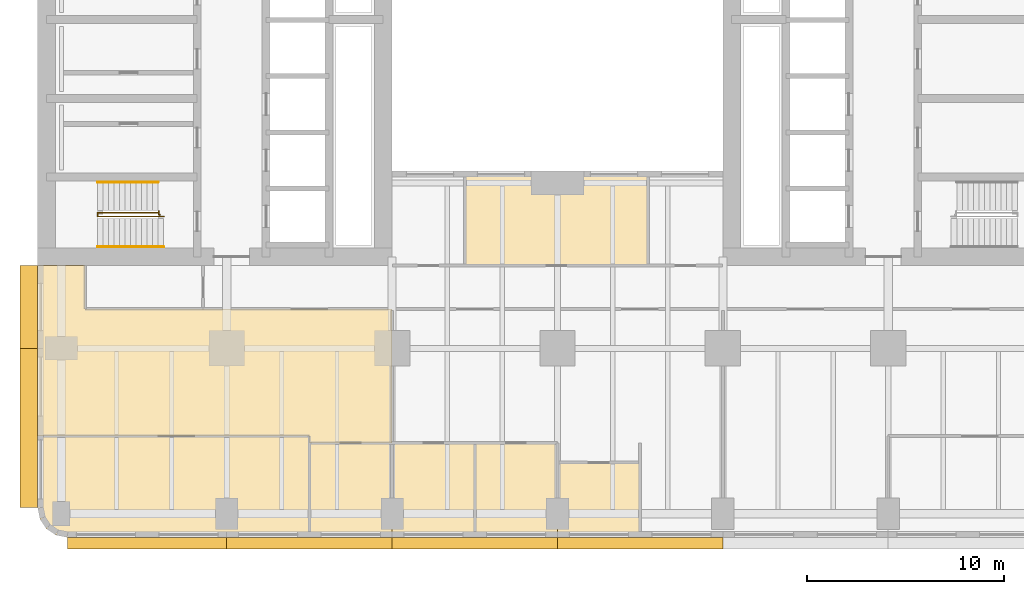
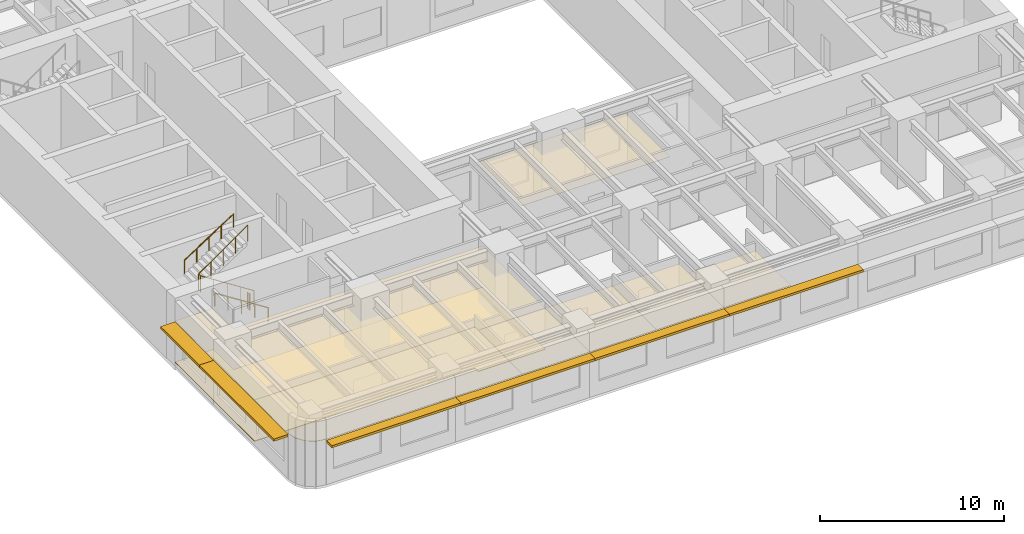
# One storey, part 10 of 13: 8 coverings, 6 shading devices, 4 railings.
"""IFC4 building model written with IfcOpenShell, lengths in metres."""

from ifc_helpers import new_model, si_unit, direction, frame, origin, origin_2d, place, context, subcontext, project, spatial, polyline, rectangle, circle, outline, extrude, material, layer, layer_set, type_object, element, save


model = new_model("IFC4")

# Units and contexts
model_context = context("Model", 3, precision=1e-05, world=origin(), true_north=direction((0.0, 1.0)))
body_context = subcontext(model_context, "Body", "Model", "MODEL_VIEW")
ifc_project = project(units=[si_unit("LENGTHUNIT", "METRE"), si_unit("AREAUNIT", "SQUARE_METRE"), si_unit("VOLUMEUNIT", "CUBIC_METRE"), si_unit("PLANEANGLEUNIT", "RADIAN"), si_unit("MASSUNIT", "GRAM", prefix="KILO")], contexts=[model_context])

# Site, building, storey
site_placement = place(None, origin())
site = spatial("IfcSite", under=ifc_project, at=site_placement, CompositionType="ELEMENT")
building_placement = place(site_placement, origin())
building = spatial("IfcBuilding", under=site, at=building_placement, Name="Claustro Exchange Tower", CompositionType="ELEMENT")
storey_placement = place(building_placement, frame((0.0, 0.0, 86.39990234375)))
storey = spatial("IfcBuildingStorey", under=building, at=storey_placement, Name="L19", CompositionType="ELEMENT", Elevation=86.39990234375)

# Coverings
ifc_material_1 = material(Name="Gypsum board ceiling", Category="gypsum board")
ifc_layer_1 = layer(ifc_material_1, 0.02490234375)
ifc_layer_set_1 = layer_set([ifc_layer_1], Name="Gypsum board ceiling")
covering_type_1 = type_object("IfcCoveringType", Name="CL2 plasterboard ceiling", PredefinedType="CEILING", material=ifc_layer_set_1)
covering_1_placement = place(storey_placement, frame((0.0, 0.0, 3.0)))
element("IfcCovering", 1, at=covering_1_placement, inside=storey, type_object=covering_type_1, Name="Ceiling CL2 L19-01", PredefinedType="CEILING", context=body_context, shape_type="SweptSolid", body=[
    extrude(outline(polyline([(25.199951171875, -1.199951171875), (29.39990234375, -1.199951171875), (29.39990234375, 2.60009765625), (25.199951171875, 2.60009765625), (25.199951171875, -1.199951171875)])), origin(), (0.0, 0.0, 1.0), 0.025146484375),
])
covering_2_placement = place(storey_placement, frame((0.0, 0.0, 3.0)))
element("IfcCovering", 2, at=covering_2_placement, inside=storey, type_object=covering_type_1, Name="Ceiling CL2 L19-02", PredefinedType="CEILING", context=body_context, shape_type="SweptSolid", body=[
    extrude(outline(polyline([(12.60009765625, -1.199951171875), (16.800048828125, -1.199951171875), (16.800048828125, 3.60009765625), (12.60009765625, 3.60009765625), (12.60009765625, -1.199951171875)])), origin(), (0.0, 0.0, 1.0), 0.025146484375),
])
covering_3_placement = place(storey_placement, frame((0.0, 0.0, 3.0)))
element("IfcCovering", 3, at=covering_3_placement, inside=storey, type_object=covering_type_1, Name="Ceiling CL2 L19-03", PredefinedType="CEILING", context=body_context, shape_type="SweptSolid", body=[
    extrude(outline(polyline([(16.800048828125, -1.199951171875), (21.0, -1.199951171875), (21.0, 3.60009765625), (16.800048828125, 3.60009765625), (16.800048828125, -1.199951171875)])), origin(), (0.0, 0.0, 1.0), 0.025146484375),
])
covering_4_placement = place(storey_placement, frame((0.0, 0.0, 3.0)))
element("IfcCovering", 4, at=covering_4_placement, inside=storey, type_object=covering_type_1, Name="Ceiling CL2 L19-04", PredefinedType="CEILING", context=body_context, shape_type="SweptSolid", body=[
    extrude(outline(polyline([(21.0, -1.199951171875), (25.199951171875, -1.199951171875), (25.199951171875, 3.60009765625), (21.0, 3.60009765625), (21.0, -1.199951171875)])), origin(), (0.0, 0.0, 1.0), 0.025146484375),
])
covering_5_placement = place(storey_placement, frame((0.0, 0.0, 3.0)))
element("IfcCovering", 5, at=covering_5_placement, inside=storey, type_object=covering_type_1, Name="Ceiling CL2 L19-05", PredefinedType="CEILING", context=body_context, shape_type="SweptSolid", body=[
    extrude(outline(polyline([(-1.085693359375, -0.27392578125), (-0.7607421875, -0.7607421875), (-0.27392578125, -1.085693359375), (0.300048828125, -1.199951171875), (12.60009765625, -1.199951171875), (12.60009765625, 3.949951171875), (-1.199951171875, 3.949951171875), (-1.199951171875, 0.300048828125), (-1.085693359375, -0.27392578125)])), origin(), (0.0, 0.0, 1.0), 0.025146484375),
])
covering_6_placement = place(storey_placement, frame((0.0, 0.0, 3.0)))
element("IfcCovering", 6, at=covering_6_placement, inside=storey, type_object=covering_type_1, Name="Ceiling CL2 L19-09", PredefinedType="CEILING", context=body_context, shape_type="SweptSolid", body=[
    extrude(outline(polyline([(-1.199951171875, 12.60009765625), (-1.199951171875, 3.949951171875), (12.60009765625, 3.949951171875), (12.60009765625, 3.60009765625), (16.800048828125, 3.60009765625), (16.800048828125, 10.39990234375), (7.199951171875, 10.39990234375), (1.199951171875, 10.39990234375), (1.199951171875, 12.60009765625), (-1.199951171875, 12.60009765625)])), origin(), (0.0, 0.0, 1.0), 0.025146484375),
])
covering_7_placement = place(storey_placement, frame((0.0, 0.0, 3.0)))
element("IfcCovering", 7, at=covering_7_placement, inside=storey, type_object=covering_type_1, Name="Ceiling CL2 L19-13", PredefinedType="CEILING", context=body_context, shape_type="SweptSolid", body=[
    extrude(outline(polyline([(29.800048828125, 17.39990234375), (20.5, 17.39990234375), (20.5, 12.60009765625), (29.800048828125, 12.60009765625), (29.800048828125, 17.39990234375)])), origin(), (0.0, 0.0, 1.0), 0.025146484375),
])

# Railings
ifc_material_2 = material(Name="Steel balustrade, painted", Category="steel")
railing_type_1 = type_object("IfcRailingType", Name="GR2 1100 steel stair guard", PredefinedType="GUARDRAIL", material=ifc_material_2)
railing_1_placement = place(storey_placement, frame((5.199951171875, 15.10009765625, 0.18017578125)))
element("IfcRailing", 8, at=railing_1_placement, inside=storey, type_object=railing_type_1, Name="Stair well guard GR2 stair STWA L19", PredefinedType="GUARDRAIL", context=body_context, shape_type="SweptSolid", body=[
    extrude(circle(Radius=0.02392578125, at=origin_2d()), frame((0.0, 0.0, 1.076171875), z_axis=(-0.841178475377, 0.0, 0.540757591313), x_axis=(0.0, -1.0, 0.0)), (0.0, 0.0, 1.0), 3.994140625),
    extrude(circle(Radius=0.02392578125, at=origin_2d()), frame((-3.35986328125, 0.0, 3.23583984375), z_axis=(0.0, 1.0, 0.0), x_axis=(-1.0, 0.0, 0.0)), (0.0, 0.0, 1.0), 0.199951171875),
    extrude(circle(Radius=0.02392578125, at=origin_2d()), frame((-3.35986328125, 0.199951171875, 3.23583984375), z_axis=(0.818728512145, 0.0, 0.574180828137), x_axis=(0.0, 1.0, 0.0)), (0.0, 0.0, 1.0), 3.76171875),
    extrude(circle(Radius=0.02099609375, at=origin_2d()), origin(), (0.0, 0.0, 1.0), 1.052001953125),
    extrude(circle(Radius=0.02099609375, at=origin_2d()), frame((-0.83984375, 0.0, 0.5400390625)), (0.0, 0.0, 1.0), 1.052001953125),
    extrude(circle(Radius=0.02099609375, at=origin_2d()), frame((-1.679931640625, 0.0, 1.080078125)), (0.0, 0.0, 1.0), 1.052001953125),
    extrude(circle(Radius=0.02099609375, at=origin_2d()), frame((-2.52001953125, 0.0, 1.619873046875)), (0.0, 0.0, 1.0), 1.052001953125),
    extrude(circle(Radius=0.02099609375, at=origin_2d()), frame((-3.35986328125, 0.0, 2.159912109375)), (0.0, 0.0, 1.0), 1.052001953125),
    extrude(circle(Radius=0.02099609375, at=origin_2d()), frame((-3.35986328125, 0.199951171875, 2.159912109375)), (0.0, 0.0, 1.0), 1.052001953125),
    extrude(circle(Radius=0.02099609375, at=origin_2d()), frame((-2.58984375, 0.199951171875, 2.699951171875)), (0.0, 0.0, 1.0), 1.052001953125),
    extrude(circle(Radius=0.02099609375, at=origin_2d()), frame((-1.81982421875, 0.199951171875, 3.23974609375)), (0.0, 0.0, 1.0), 1.052001953125),
    extrude(circle(Radius=0.02099609375, at=origin_2d()), frame((-1.050048828125, 0.199951171875, 3.77978515625)), (0.0, 0.0, 1.0), 1.052001953125),
    extrude(circle(Radius=0.02099609375, at=origin_2d()), frame((-0.280029296875, 0.199951171875, 4.31982421875)), (0.0, 0.0, 1.0), 1.052001953125),
])
railing_2_placement = place(storey_placement, frame((5.0, 15.169921875, 0.0)))
element("IfcRailing", 9, at=railing_2_placement, inside=storey, type_object=railing_type_1, Name="Stair guard GR2 STWA L19", PredefinedType="GUARDRAIL", context=body_context, shape_type="SweptSolid", body=[
    extrude(circle(Radius=0.02392578125, at=origin_2d()), frame((0.0, 0.0, 1.076171875), z_axis=(0.0, 1.0, 0.0), x_axis=(-1.0, 0.0, 0.0)), (0.0, 0.0, 1.0), 0.030029296875),
    extrude(circle(Radius=0.02392578125, at=origin_2d()), frame((0.0, 0.030029296875, 1.076171875), z_axis=(-1.0, 0.0, 0.0), x_axis=(0.0, -1.0, 0.0)), (0.0, 0.0, 1.0), 0.054931640625),
    extrude(circle(Radius=0.02392578125, at=origin_2d()), frame((-0.054931640625, 0.030029296875, 1.076171875), z_axis=(0.0, 1.0, 0.0), x_axis=(-1.0, 0.0, 0.0)), (0.0, 0.0, 1.0), 0.179931640625),
    extrude(circle(Radius=0.02099609375, at=origin_2d()), origin(), (0.0, 0.0, 1.0), 1.052001953125),
    extrude(circle(Radius=0.02099609375, at=origin_2d()), frame((0.0, 0.030029296875, 0.0)), (0.0, 0.0, 1.0), 1.052001953125),
    extrude(circle(Radius=0.02099609375, at=origin_2d()), frame((-0.054931640625, 0.030029296875, 0.0)), (0.0, 0.0, 1.0), 1.052001953125),
    extrude(circle(Radius=0.02099609375, at=origin_2d()), frame((-0.054931640625, 0.2099609375, 0.0)), (0.0, 0.0, 1.0), 1.052001953125),
])
ifc_material_3 = material(Name="Stainless steel tube", Category="steel")
railing_type_2 = type_object("IfcRailingType", Name="HR1 900 stair handrail", PredefinedType="HANDRAIL", material=ifc_material_3)
railing_3_placement = place(storey_placement, frame((5.199951171875, 13.56005859375, 0.18017578125)))
element("IfcRailing", 10, at=railing_3_placement, inside=storey, type_object=railing_type_2, Name="Handrail HR1 stair STWA L19", PredefinedType="HANDRAIL", context=body_context, shape_type="SweptSolid", body=[
    extrude(circle(Radius=0.02392578125, at=origin_2d()), frame((0.0, 0.0, 0.8759765625), z_axis=(-0.841178475377, 0.0, 0.540757591313), x_axis=(0.0, -1.0, 0.0)), (0.0, 0.0, 1.0), 3.994140625),
    extrude(circle(Radius=0.02099609375, at=origin_2d()), origin(), (0.0, 0.0, 1.0), 0.851806640625),
    extrude(circle(Radius=0.02099609375, at=origin_2d()), frame((-0.83984375, 0.0, 0.5400390625)), (0.0, 0.0, 1.0), 0.851806640625),
    extrude(circle(Radius=0.02099609375, at=origin_2d()), frame((-1.679931640625, 0.0, 1.080078125)), (0.0, 0.0, 1.0), 0.851806640625),
    extrude(circle(Radius=0.02099609375, at=origin_2d()), frame((-2.52001953125, 0.0, 1.619873046875)), (0.0, 0.0, 1.0), 0.851806640625),
    extrude(circle(Radius=0.02099609375, at=origin_2d()), frame((-3.35986328125, 0.0, 2.159912109375)), (0.0, 0.0, 1.0), 0.851806640625),
])
railing_4_placement = place(storey_placement, frame((1.840087890625, 16.840087890625, 2.52001953125)))
element("IfcRailing", 11, at=railing_4_placement, inside=storey, type_object=railing_type_2, Name="Handrail HR1 stair STWA L19", PredefinedType="HANDRAIL", context=body_context, shape_type="SweptSolid", body=[
    extrude(circle(Radius=0.02392578125, at=origin_2d()), frame((0.0, 0.0, 0.8759765625), z_axis=(0.841167642724, 0.0, 0.540774441735), x_axis=(0.0, 1.0, 0.0)), (0.0, 0.0, 1.0), 3.661376953125),
    extrude(circle(Radius=0.02099609375, at=origin_2d()), origin(), (0.0, 0.0, 1.0), 0.851806640625),
    extrude(circle(Radius=0.02099609375, at=origin_2d()), frame((0.77001953125, 0.0, 0.4951171875)), (0.0, 0.0, 1.0), 0.851806640625),
    extrude(circle(Radius=0.02099609375, at=origin_2d()), frame((1.5400390625, 0.0, 0.989990234375)), (0.0, 0.0, 1.0), 0.851806640625),
    extrude(circle(Radius=0.02099609375, at=origin_2d()), frame((2.309814453125, 0.0, 1.48486328125)), (0.0, 0.0, 1.0), 0.851806640625),
    extrude(circle(Radius=0.02099609375, at=origin_2d()), frame((3.079833984375, 0.0, 1.97998046875)), (0.0, 0.0, 1.0), 0.851806640625),
])

# Covering
ifc_material_4 = material(Name="Steel-encased raised floor panels on pedestals", Category="steel")
ifc_layer_2 = layer(ifc_material_4, 0.0400390625)
ifc_layer_set_2 = layer_set([ifc_layer_2], Name="Steel-encased raised floor panels on pedestals")
covering_type_2 = type_object("IfcCoveringType", Name="RF1 300 raised access floor", PredefinedType="FLOORING", material=ifc_layer_set_2)
covering_8_placement = place(storey_placement, frame((0.0, 0.0, 0.260009765625)))
element("IfcCovering", 12, at=covering_8_placement, inside=storey, type_object=covering_type_2, Name="Raised access floor RF1 L19-09", PredefinedType="FLOORING", context=body_context, shape_type="SweptSolid", body=[
    extrude(outline(polyline([(-1.199951171875, 12.60009765625), (-1.199951171875, 3.949951171875), (12.60009765625, 3.949951171875), (12.60009765625, 3.60009765625), (16.800048828125, 3.60009765625), (16.800048828125, 10.39990234375), (7.199951171875, 10.39990234375), (1.199951171875, 10.39990234375), (1.199951171875, 12.60009765625), (-1.199951171875, 12.60009765625)])), origin(), (0.0, 0.0, 1.0), 0.0400390625),
])

# Shading devices
ifc_material_5 = material(Name="Concrete HA-40 (C40/50), precast, white cement, acid-etched", Category="concrete")
ifc_layer_3 = layer(ifc_material_5, 0.14990234375)
ifc_layer_set_3 = layer_set([ifc_layer_3], Name="Concrete HA-40 (C40/50), precast, white cement, acid-etched")
shading_device_type_1 = type_object("IfcShadingDeviceType", Name="SS1 600 precast concrete SUNSHADE", PredefinedType="SHUTTER", material=ifc_layer_set_3)
for number, where, z_axis, x_axis, name in (
    (13, (29.39990234375, -1.5, 2.800048828125), (0.0, 0.0, 1.0), (-1.0, 0.0, 0.0), "Precast SUNSHADE SS1 L19"),
    (14, (21.0, -1.5, 2.800048828125), (0.0, 0.0, 1.0), (-1.0, 0.0, 0.0), "Precast SUNSHADE SS1 L19"),
    (15, (12.60009765625, -1.5, 2.800048828125), (0.0, 0.0, 1.0), (-1.0, 0.0, 0.0), "Precast SUNSHADE SS1 L19"),
):
    element("IfcShadingDevice", number, at=place(storey_placement, frame(where, z_axis=z_axis, x_axis=x_axis)), inside=storey, type_object=shading_device_type_1, Name=name, PredefinedType="SHUTTER", context=body_context, shape_type="SweptSolid", body=[
        extrude(rectangle(XDim=8.39990234375, YDim=0.60009765625, at=origin_2d()), origin(), (0.0, 0.0, 1.0), 0.14990234375),
    ])
shading_device_1_placement = place(storey_placement, frame((4.357421875, -1.5, 2.800048828125), z_axis=(0.0, 0.0, 1.0), x_axis=(-1.0, 0.0, 0.0)))
element("IfcShadingDevice", 16, at=shading_device_1_placement, inside=storey, type_object=shading_device_type_1, Name="Precast SUNSHADE SS1 L19", PredefinedType="SHUTTER", context=body_context, shape_type="SweptSolid", body=[
    extrude(rectangle(XDim=8.085205078125, YDim=0.60009765625, at=origin_2d()), origin(), (0.0, 0.0, 1.0), 0.14990234375),
])
ifc_material_6 = material(Name="Concrete HA-40 (C40/50), precast, white cement, acid-etched", Category="concrete")
ifc_layer_4 = layer(ifc_material_6, 0.14990234375)
ifc_layer_set_4 = layer_set([ifc_layer_4], Name="Concrete HA-40 (C40/50), precast, white cement, acid-etched")
shading_device_type_2 = type_object("IfcShadingDeviceType", Name="SS2 900 precast concrete SUNSHADE", PredefinedType="SHUTTER", material=ifc_layer_set_4)
shading_device_2_placement = place(storey_placement, frame((-1.64990234375, 4.357421875, 2.800048828125), z_axis=(0.0, 0.0, 1.0), x_axis=(0.0, 1.0, 0.0)))
element("IfcShadingDevice", 17, at=shading_device_2_placement, inside=storey, type_object=shading_device_type_2, Name="Precast SUNSHADE SS2 L19", PredefinedType="SHUTTER", context=body_context, shape_type="SweptSolid", body=[
    extrude(rectangle(XDim=8.085205078125, YDim=0.89990234375, at=origin_2d()), origin(), (0.0, 0.0, 1.0), 0.14990234375),
])
shading_device_3_placement = place(storey_placement, frame((-1.64990234375, 10.5, 2.800048828125), z_axis=(0.0, 0.0, 1.0), x_axis=(0.0, 1.0, 0.0)))
element("IfcShadingDevice", 18, at=shading_device_3_placement, inside=storey, type_object=shading_device_type_2, Name="Precast SUNSHADE SS2 L19", PredefinedType="SHUTTER", context=body_context, shape_type="SweptSolid", body=[
    extrude(rectangle(XDim=4.199951171875, YDim=0.89990234375, at=origin_2d()), origin(), (0.0, 0.0, 1.0), 0.14990234375),
])

save(model, "model.ifc")
